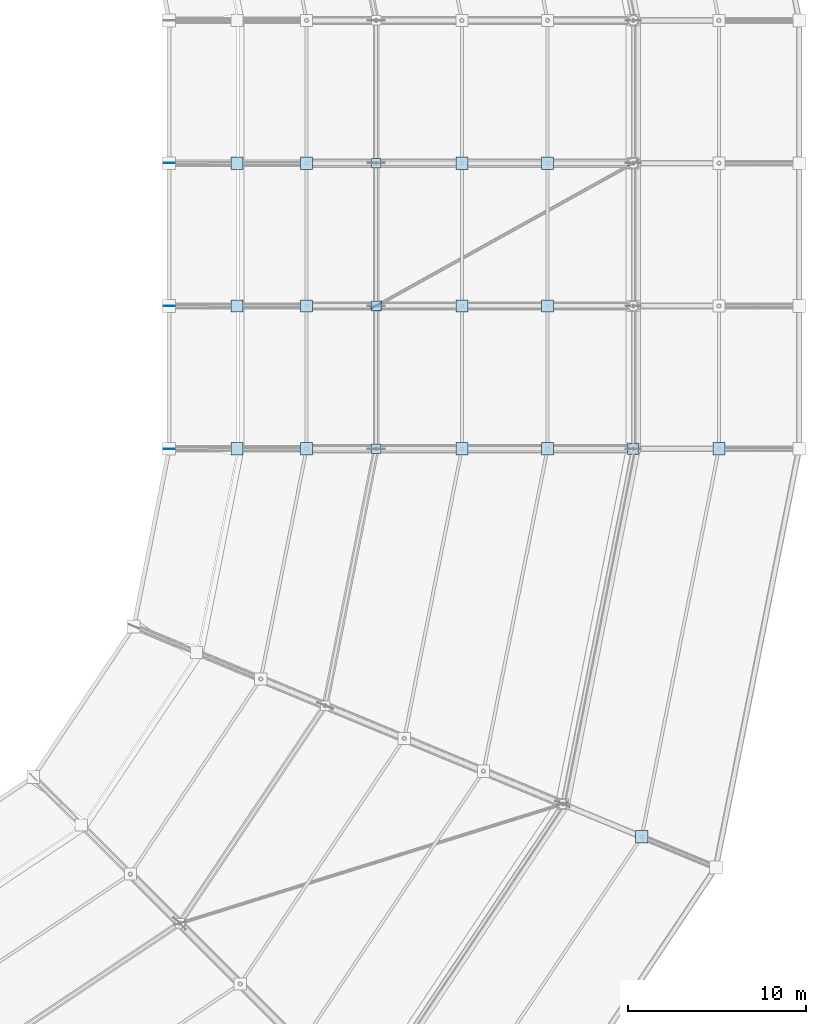
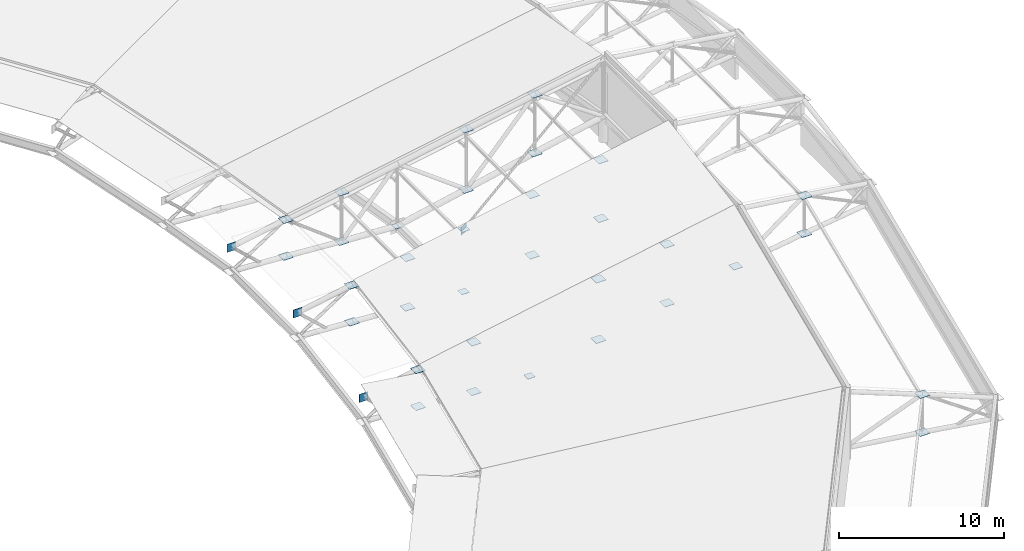
# One storey, part 138 of 146: 37 plates.
"""IFC4 building model written with IfcOpenShell, lengths in metres."""

from ifc_helpers import new_model, si_unit, direction, frame, origin, origin_2d, place, context, subcontext, project, spatial, rectangle, extrude, material, layer, layer_set, type_object, element, save


model = new_model("IFC4")

# Units and contexts
model_context = context("Model", 3, precision=1e-05, world=origin(), true_north=direction((0.0, 1.0)))
body_context = subcontext(model_context, "Body", "Model", "MODEL_VIEW")
ifc_project = project(units=[si_unit("LENGTHUNIT", "METRE"), si_unit("AREAUNIT", "SQUARE_METRE"), si_unit("VOLUMEUNIT", "CUBIC_METRE"), si_unit("PLANEANGLEUNIT", "RADIAN"), si_unit("MASSUNIT", "GRAM", prefix="KILO")], contexts=[model_context])

# Site, building, storey
site_placement = place(None, origin())
site = spatial("IfcSite", under=ifc_project, at=site_placement, CompositionType="ELEMENT")
building_placement = place(site_placement, origin())
building = spatial("IfcBuilding", under=site, at=building_placement, Name="Candeia Ridge Stadium", CompositionType="ELEMENT")
storey_placement = place(building_placement, frame((0.0, 0.0, 31.800048828125)))
storey = spatial("IfcBuildingStorey", under=building, at=storey_placement, Name="RF", CompositionType="ELEMENT", Elevation=31.800048828125)

# Plates
ifc_material = material(Name="Steel ASTM A572 Grade 50", Category="steel")
ifc_layer_1 = layer(ifc_material, 0.02490234375, Name="Steel ASTM A572 Grade 50", Category="steel")
ifc_layer_set_1 = layer_set([ifc_layer_1], Name="Steel ASTM A572 Grade 50")
plate_type_1 = type_object("IfcPlateType", Name="Hollow Section End Closure Plate CP1", PredefinedType="SHEET", material=ifc_layer_set_1)
plate_1_placement = place(storey_placement, frame((178.60009765625, 71.0, -2.676513671875), z_axis=(0.0, 0.0, 1.0), x_axis=(1.0, 0.0, 0.0)))
element("IfcPlate", 1, at=plate_1_placement, inside=storey, type_object=plate_type_1, Name="Hollow section end closure plate MCAP-T-BC-MD-29", PredefinedType="SHEET", context=body_context, shape_type="SweptSolid", body=[
    extrude(rectangle(XDim=0.5400390625, YDim=0.5400390625, at=origin_2d()), origin(), (0.0, 0.0, 1.0), 0.02490234375),
])
plate_2_placement = place(storey_placement, frame((193.0, 71.0, 0.387451171875), z_axis=(0.0, 0.0, 1.0), x_axis=(1.0, 0.0, 0.0)))
element("IfcPlate", 2, at=plate_2_placement, inside=storey, type_object=plate_type_1, Name="Hollow section end closure plate MCAP-T-BC-OU-29", PredefinedType="SHEET", context=body_context, shape_type="SweptSolid", body=[
    extrude(rectangle(XDim=0.639892578125, YDim=0.639892578125, at=origin_2d()), origin(), (0.0, 0.0, 1.0), 0.02490234375),
])
for number, where, z_axis, x_axis, name in (
    (3, (178.60009765625, 79.0, -1.291015625), (0.0, 0.0, 1.0), (1.0, 0.0, 0.0), "Hollow section end closure plate MCAP-T-BC-MD-30"),
    (4, (178.60009765625, 87.0, -1.291015625), (0.0, 0.0, 1.0), (1.0, 0.0, 0.0), "Hollow section end closure plate MCAP-T-BC-MD-31"),
):
    element("IfcPlate", number, at=place(storey_placement, frame(where, z_axis=z_axis, x_axis=x_axis)), inside=storey, type_object=plate_type_1, Name=name, PredefinedType="SHEET", context=body_context, shape_type="SweptSolid", body=[
        extrude(rectangle(XDim=0.5400390625, YDim=0.5400390625, at=origin_2d()), origin(), (0.0, 0.0, 1.0), 0.02490234375),
    ])
ifc_layer_2 = layer(ifc_material, 0.02490234375, Name="Steel ASTM A572 Grade 50", Category="steel")
ifc_layer_set_2 = layer_set([ifc_layer_2], Name="Steel ASTM A572 Grade 50")
plate_type_2 = type_object("IfcPlateType", Name="Hollow Section End Closure Plate CP3", PredefinedType="SHEET", material=ifc_layer_set_2)
for number, where, z_axis, x_axis, name in (
    (5, (193.476318359375, 49.263671875, 3.94580078125), (0.0, 0.0, 1.0), (1.0, 0.0, 0.0), "Hollow section end closure plate NCAP-T-28-7"),
    (6, (193.476318359375, 49.263671875, 1.139404296875), (0.0, 0.0, 1.0), (1.0, 0.0, 0.0), "Hollow section end closure plate NCAP-B-28-7"),
    (7, (170.800048828125, 71.0, 0.530517578125), (0.0, 0.0, 1.0), (1.0, 0.0, 0.0), "Hollow section end closure plate NCAP-T-29-1"),
    (8, (170.800048828125, 71.0, -2.186767578125), (0.0, 0.0, 1.0), (1.0, 0.0, 0.0), "Hollow section end closure plate NCAP-B-29-1"),
    (9, (174.699951171875, 71.0, 1.201904296875), (0.0, 0.0, 1.0), (1.0, 0.0, 0.0), "Hollow section end closure plate NCAP-T-29-2"),
    (10, (174.699951171875, 71.0, -2.45654296875), (0.0, 0.0, 1.0), (1.0, 0.0, 0.0), "Hollow section end closure plate NCAP-B-29-2"),
    (11, (183.39990234375, 71.0, 2.8115234375), (0.0, 0.0, 1.0), (1.0, 0.0, 0.0), "Hollow section end closure plate NCAP-T-29-4"),
    (12, (183.39990234375, 71.0, -1.6552734375), (0.0, 0.0, 1.0), (1.0, 0.0, 0.0), "Hollow section end closure plate NCAP-B-29-4"),
    (13, (188.199951171875, 71.0, 3.699462890625), (0.0, 0.0, 1.0), (1.0, 0.0, 0.0), "Hollow section end closure plate NCAP-T-29-5"),
    (14, (188.199951171875, 71.0, -0.6337890625), (0.0, 0.0, 1.0), (1.0, 0.0, 0.0), "Hollow section end closure plate NCAP-B-29-5"),
    (15, (197.800048828125, 71.0, 3.94580078125), (0.0, 0.0, 1.0), (1.0, 0.0, 0.0), "Hollow section end closure plate NCAP-T-29-7"),
    (16, (197.800048828125, 71.0, 1.139404296875), (0.0, 0.0, 1.0), (1.0, 0.0, 0.0), "Hollow section end closure plate NCAP-B-29-7"),
    (17, (170.800048828125, 79.0, 1.916015625), (0.0, 0.0, 1.0), (1.0, 0.0, 0.0), "Hollow section end closure plate NCAP-T-30-1"),
    (18, (170.800048828125, 79.0, -0.801025390625), (0.0, 0.0, 1.0), (1.0, 0.0, 0.0), "Hollow section end closure plate NCAP-B-30-1"),
    (19, (174.699951171875, 79.0, 2.587646484375), (0.0, 0.0, 1.0), (1.0, 0.0, 0.0), "Hollow section end closure plate NCAP-T-30-2"),
    (20, (174.699951171875, 79.0, -1.071044921875), (0.0, 0.0, 1.0), (1.0, 0.0, 0.0), "Hollow section end closure plate NCAP-B-30-2"),
    (21, (183.39990234375, 79.0, 4.197021484375), (0.0, 0.0, 1.0), (1.0, 0.0, 0.0), "Hollow section end closure plate NCAP-T-30-4"),
    (22, (183.39990234375, 79.0, -0.26953125), (0.0, 0.0, 1.0), (1.0, 0.0, 0.0), "Hollow section end closure plate NCAP-B-30-4"),
    (23, (188.199951171875, 79.0, 5.085205078125), (0.0, 0.0, 1.0), (1.0, 0.0, 0.0), "Hollow section end closure plate NCAP-T-30-5"),
    (24, (188.199951171875, 79.0, 0.751708984375), (0.0, 0.0, 1.0), (1.0, 0.0, 0.0), "Hollow section end closure plate NCAP-B-30-5"),
):
    element("IfcPlate", number, at=place(storey_placement, frame(where, z_axis=z_axis, x_axis=x_axis)), inside=storey, type_object=plate_type_2, Name=name, PredefinedType="SHEET", context=body_context, shape_type="SweptSolid", body=[
        extrude(rectangle(XDim=0.679931640625, YDim=0.679931640625, at=origin_2d()), origin(), (0.0, 0.0, 1.0), 0.02490234375),
    ])
plate_3_placement = place(storey_placement, frame((178.6171875, 79.009521484375, 3.312255859375), z_axis=(0.0, 0.0, 1.0), x_axis=(1.0, 0.0, 0.0)))
element("IfcPlate", 25, at=plate_3_placement, inside=storey, type_object=plate_type_2, Name="Hollow section end closure plate WBCAP-A-30", PredefinedType="SHEET", context=body_context, shape_type="SweptSolid", body=[
    extrude(rectangle(XDim=0.550048828125, YDim=0.550048828125, at=origin_2d()), origin(), (0.0, 0.0, 1.0), 0.02490234375),
])
for number, where, z_axis, x_axis, name in (
    (26, (170.800048828125, 87.0, 1.916015625), (0.0, 0.0, 1.0), (1.0, 0.0, 0.0), "Hollow section end closure plate NCAP-T-31-1"),
    (27, (170.800048828125, 87.0, -0.801025390625), (0.0, 0.0, 1.0), (1.0, 0.0, 0.0), "Hollow section end closure plate NCAP-B-31-1"),
    (28, (174.699951171875, 87.0, 2.587646484375), (0.0, 0.0, 1.0), (1.0, 0.0, 0.0), "Hollow section end closure plate NCAP-T-31-2"),
    (29, (174.699951171875, 87.0, -1.071044921875), (0.0, 0.0, 1.0), (1.0, 0.0, 0.0), "Hollow section end closure plate NCAP-B-31-2"),
    (30, (183.39990234375, 87.0, 4.197021484375), (0.0, 0.0, 1.0), (1.0, 0.0, 0.0), "Hollow section end closure plate NCAP-T-31-4"),
    (31, (183.39990234375, 87.0, -0.26953125), (0.0, 0.0, 1.0), (1.0, 0.0, 0.0), "Hollow section end closure plate NCAP-B-31-4"),
    (32, (188.199951171875, 87.0, 5.085205078125), (0.0, 0.0, 1.0), (1.0, 0.0, 0.0), "Hollow section end closure plate NCAP-T-31-5"),
    (33, (188.199951171875, 87.0, 0.751708984375), (0.0, 0.0, 1.0), (1.0, 0.0, 0.0), "Hollow section end closure plate NCAP-B-31-5"),
):
    element("IfcPlate", number, at=place(storey_placement, frame(where, z_axis=z_axis, x_axis=x_axis)), inside=storey, type_object=plate_type_2, Name=name, PredefinedType="SHEET", context=body_context, shape_type="SweptSolid", body=[
        extrude(rectangle(XDim=0.679931640625, YDim=0.679931640625, at=origin_2d()), origin(), (0.0, 0.0, 1.0), 0.02490234375),
    ])
ifc_layer_3 = layer(ifc_material, 0.02392578125, Name="Steel ASTM A572 Grade 50", Category="steel")
ifc_layer_set_3 = layer_set([ifc_layer_3], Name="Steel ASTM A572 Grade 50")
plate_type_3 = type_object("IfcPlateType", Name="Roof Truss Chord-Web Node Gusset ND-3", PredefinedType="USERDEFINED", material=ifc_layer_set_3)
for number, where, z_axis, x_axis, name in (
    (34, (167.0, 71.0, -0.460205078125), (0.0, 0.0, 1.0), (1.0, 0.0, 0.0), "Roof truss tip gusset node ND-3 bay 30"),
    (35, (167.0, 79.0, 0.925537109375), (0.0, 0.0, 1.0), (1.0, 0.0, 0.0), "Roof truss tip gusset node ND-3 bay 31"),
    (36, (178.6171875, 79.009521484375, 3.024658203125), (0.0, 0.0, 1.0), (0.874157310866, 0.485642868639, 0.0), "Roof wind brace end gusset A bay 31"),
    (37, (167.0, 87.0, 0.925537109375), (0.0, 0.0, 1.0), (1.0, 0.0, 0.0), "Roof truss tip gusset node ND-3 bay 32"),
):
    element("IfcPlate", number, at=place(storey_placement, frame(where, z_axis=z_axis, x_axis=x_axis)), inside=storey, type_object=plate_type_3, Name=name, ObjectType="GUSSET PLATE", PredefinedType="USERDEFINED", context=body_context, shape_type="SweptSolid", body=[
        extrude(rectangle(XDim=0.60009765625, YDim=0.02392578125, at=origin_2d()), origin(), (0.0, 0.0, 1.0), 0.60009765625),
    ])

save(model, "model.ifc")
